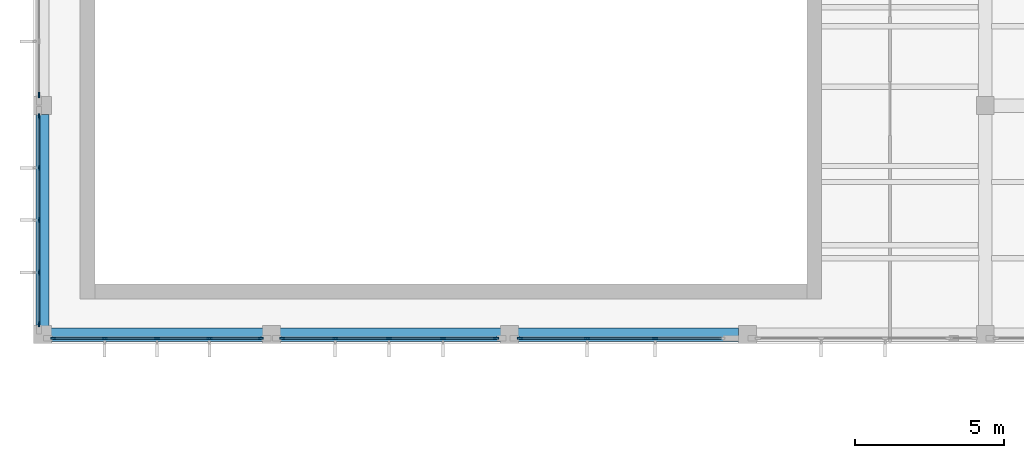
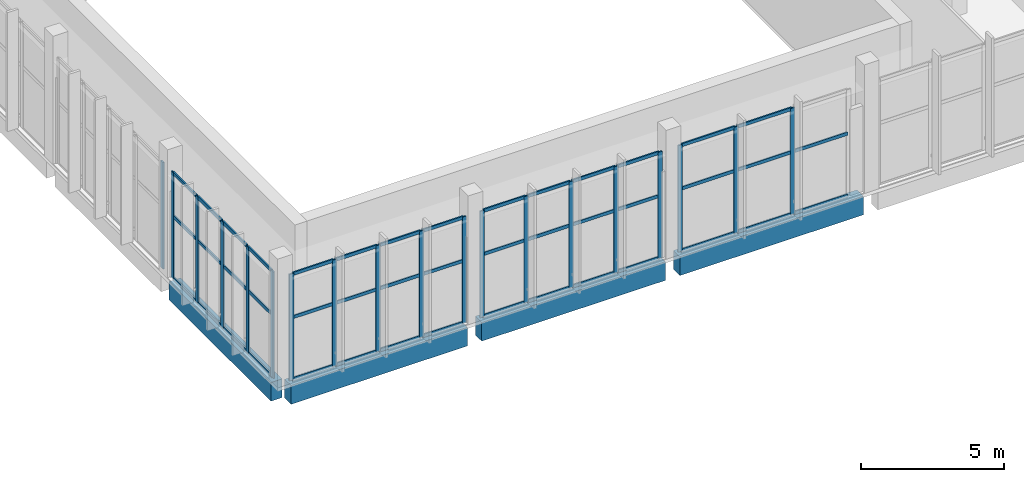
# One storey, part 4 of 87: 63 members, 4 beams, 5 elements without a shape of their own.
"""IFC4 building model written with IfcOpenShell, lengths in metres."""

from ifc_helpers import new_model, si_unit, direction, frame, origin, origin_2d, place, context, subcontext, project, spatial, rectangle, extrude, material, layer, layer_set, material_profile, profile_set, type_object, element, aggregate, save


model = new_model("IFC4")

# Units and contexts
model_context = context("Model", 3, precision=1e-05, world=origin(), true_north=direction((0.0, 1.0)))
body_context = subcontext(model_context, "Body", "Model", "MODEL_VIEW")
ifc_project = project(units=[si_unit("LENGTHUNIT", "METRE"), si_unit("AREAUNIT", "SQUARE_METRE"), si_unit("VOLUMEUNIT", "CUBIC_METRE"), si_unit("PLANEANGLEUNIT", "RADIAN"), si_unit("MASSUNIT", "GRAM", prefix="KILO")], contexts=[model_context])

# Site, building, storey
site_placement = place(None, origin())
site = spatial("IfcSite", under=ifc_project, at=site_placement, CompositionType="ELEMENT")
building_placement = place(site_placement, origin())
building = spatial("IfcBuilding", under=site, at=building_placement, Name="Lunette Opera House", CompositionType="ELEMENT")
storey_placement = place(building_placement, frame((0.0, 0.0, 11.5)))
storey = spatial("IfcBuildingStorey", under=building, at=storey_placement, Name="L02", CompositionType="ELEMENT", Elevation=11.5)

# Curtain wall, member
ifc_material_1 = material(Name="Aluminium", Category="aluminium")
ifc_layer = layer(ifc_material_1, 0.179931640625)
ifc_layer_set = layer_set([ifc_layer], Name="Aluminium")
curtain_wall_type = type_object("IfcCurtainWallType", Name="SUN FACE CURTAIN WALL", PredefinedType="NOTDEFINED", material=ifc_layer_set)
curtain_wall_1_placement = place(storey_placement, origin())
curtain_wall_1 = element("IfcCurtainWall", 1, at=curtain_wall_1_placement, inside=storey, type_object=curtain_wall_type, Name="Sun Face Curtain Wall F17 L02", PredefinedType="NOTDEFINED")
ifc_material_2 = material(Name="Aluminium", Category="aluminium")
ifc_material_profile_1 = material_profile(ifc_material_2, rectangle(XDim=0.06005859375, YDim=0.179931640625, at=origin_2d()), Name="MULLION 60 X 180")
ifc_profile_set_1 = profile_set([ifc_material_profile_1], Name="Aluminium")
member_type_1 = type_object("IfcMemberType", Name="MULLION 60 X 180", PredefinedType="MULLION", material=ifc_profile_set_1)
member_1_placement = place(storey_placement, frame((8.181884765625, 72.360107421875, 0.0), z_axis=(0.0, 0.0, 1.0), x_axis=(1.0, 0.0, 0.0)))
member_1 = element("IfcMember", 2, at=member_1_placement, type_object=member_type_1, Name="RW-X2033 mullion 5", PredefinedType="MULLION", context=body_context, shape_type="SweptSolid", body=[
    extrude(rectangle(XDim=0.06005859375, YDim=0.179931640625, at=origin_2d()), origin(), (0.0, 0.0, 1.0), 4.550048828125),
])
aggregate(curtain_wall_1, [member_1])

# Curtain wall, members
curtain_wall_2_placement = place(storey_placement, origin())
curtain_wall_2 = element("IfcCurtainWall", 3, at=curtain_wall_2_placement, inside=storey, type_object=curtain_wall_type, Name="Sun Face Curtain Wall F18 L02", PredefinedType="NOTDEFINED")
member_2_placement = place(storey_placement, frame((8.181884765625, 71.639892578125, 0.0), z_axis=(0.0, 0.0, 1.0), x_axis=(1.0, 0.0, 0.0)))
member_2 = element("IfcMember", 4, at=member_2_placement, type_object=member_type_1, Name="RW-X2034 mullion 1", PredefinedType="MULLION", context=body_context, shape_type="SweptSolid", body=[
    extrude(rectangle(XDim=0.06005859375, YDim=0.179931640625, at=origin_2d()), origin(), (0.0, 0.0, 1.0), 4.550048828125),
])
member_3_placement = place(storey_placement, frame((8.181884765625, 69.909912109375, 0.0), z_axis=(0.0, 0.0, 1.0), x_axis=(1.0, 0.0, 0.0)))
member_3 = element("IfcMember", 5, at=member_3_placement, type_object=member_type_1, Name="RW-X2034 mullion 2", PredefinedType="MULLION", context=body_context, shape_type="SweptSolid", body=[
    extrude(rectangle(XDim=0.06005859375, YDim=0.179931640625, at=origin_2d()), origin(), (0.0, 0.0, 1.0), 4.550048828125),
])
member_4_placement = place(storey_placement, frame((8.181884765625, 68.14990234375, 0.0), z_axis=(0.0, 0.0, 1.0), x_axis=(1.0, 0.0, 0.0)))
member_4 = element("IfcMember", 6, at=member_4_placement, type_object=member_type_1, Name="RW-X2034 mullion 3", PredefinedType="MULLION", context=body_context, shape_type="SweptSolid", body=[
    extrude(rectangle(XDim=0.06005859375, YDim=0.179931640625, at=origin_2d()), origin(), (0.0, 0.0, 1.0), 4.550048828125),
])
member_5_placement = place(storey_placement, frame((8.181884765625, 66.389892578125, 0.0), z_axis=(0.0, 0.0, 1.0), x_axis=(1.0, 0.0, 0.0)))
member_5 = element("IfcMember", 7, at=member_5_placement, type_object=member_type_1, Name="RW-X2034 mullion 4", PredefinedType="MULLION", context=body_context, shape_type="SweptSolid", body=[
    extrude(rectangle(XDim=0.06005859375, YDim=0.179931640625, at=origin_2d()), origin(), (0.0, 0.0, 1.0), 4.550048828125),
])
member_6_placement = place(storey_placement, frame((8.181884765625, 64.659912109375, 0.0), z_axis=(0.0, 0.0, 1.0), x_axis=(1.0, 0.0, 0.0)))
member_6 = element("IfcMember", 8, at=member_6_placement, type_object=member_type_1, Name="RW-X2034 mullion 5", PredefinedType="MULLION", context=body_context, shape_type="SweptSolid", body=[
    extrude(rectangle(XDim=0.06005859375, YDim=0.179931640625, at=origin_2d()), origin(), (0.0, 0.0, 1.0), 4.550048828125),
])

curtain_wall_3_placement = place(storey_placement, origin())
curtain_wall_3 = element("IfcCurtainWall", 9, at=curtain_wall_3_placement, inside=storey, type_object=curtain_wall_type, Name="Sun Face Curtain Wall F19 L02", PredefinedType="NOTDEFINED")
member_7_placement = place(storey_placement, frame((8.659912109375, 64.18310546875, 0.0), z_axis=(0.0, 0.0, 1.0), x_axis=(0.0, 1.0, 0.0)))
member_7 = element("IfcMember", 10, at=member_7_placement, type_object=member_type_1, Name="RW-X2035 mullion 1", PredefinedType="MULLION", context=body_context, shape_type="SweptSolid", body=[
    extrude(rectangle(XDim=0.06005859375, YDim=0.179931640625, at=origin_2d()), origin(), (0.0, 0.0, 1.0), 4.550048828125),
])
member_8_placement = place(storey_placement, frame((10.389892578125, 64.18310546875, 0.0), z_axis=(0.0, 0.0, 1.0), x_axis=(0.0, 1.0, 0.0)))
member_8 = element("IfcMember", 11, at=member_8_placement, type_object=member_type_1, Name="RW-X2035 mullion 2", PredefinedType="MULLION", context=body_context, shape_type="SweptSolid", body=[
    extrude(rectangle(XDim=0.06005859375, YDim=0.179931640625, at=origin_2d()), origin(), (0.0, 0.0, 1.0), 4.550048828125),
])
member_9_placement = place(storey_placement, frame((12.14990234375, 64.18310546875, 0.0), z_axis=(0.0, 0.0, 1.0), x_axis=(0.0, 1.0, 0.0)))
member_9 = element("IfcMember", 12, at=member_9_placement, type_object=member_type_1, Name="RW-X2035 mullion 3", PredefinedType="MULLION", context=body_context, shape_type="SweptSolid", body=[
    extrude(rectangle(XDim=0.06005859375, YDim=0.179931640625, at=origin_2d()), origin(), (0.0, 0.0, 1.0), 4.550048828125),
])
member_10_placement = place(storey_placement, frame((13.909912109375, 64.18310546875, 0.0), z_axis=(0.0, 0.0, 1.0), x_axis=(0.0, 1.0, 0.0)))
member_10 = element("IfcMember", 13, at=member_10_placement, type_object=member_type_1, Name="RW-X2035 mullion 4", PredefinedType="MULLION", context=body_context, shape_type="SweptSolid", body=[
    extrude(rectangle(XDim=0.06005859375, YDim=0.179931640625, at=origin_2d()), origin(), (0.0, 0.0, 1.0), 4.550048828125),
])
member_11_placement = place(storey_placement, frame((15.639892578125, 64.18310546875, 0.0), z_axis=(0.0, 0.0, 1.0), x_axis=(0.0, 1.0, 0.0)))
member_11 = element("IfcMember", 14, at=member_11_placement, type_object=member_type_1, Name="RW-X2035 mullion 5", PredefinedType="MULLION", context=body_context, shape_type="SweptSolid", body=[
    extrude(rectangle(XDim=0.06005859375, YDim=0.179931640625, at=origin_2d()), origin(), (0.0, 0.0, 1.0), 4.550048828125),
])

curtain_wall_4_placement = place(storey_placement, origin())
curtain_wall_4 = element("IfcCurtainWall", 15, at=curtain_wall_4_placement, inside=storey, type_object=curtain_wall_type, Name="Sun Face Curtain Wall F20 L02", PredefinedType="NOTDEFINED")
member_12_placement = place(storey_placement, frame((16.360107421875, 64.18310546875, 0.0), z_axis=(0.0, 0.0, 1.0), x_axis=(0.0, 1.0, 0.0)))
member_12 = element("IfcMember", 16, at=member_12_placement, type_object=member_type_1, Name="RW-X2036 mullion 1", PredefinedType="MULLION", context=body_context, shape_type="SweptSolid", body=[
    extrude(rectangle(XDim=0.06005859375, YDim=0.179931640625, at=origin_2d()), origin(), (0.0, 0.0, 1.0), 4.550048828125),
])
member_13_placement = place(storey_placement, frame((18.141845703125, 64.18310546875, 0.0), z_axis=(0.0, 0.0, 1.0), x_axis=(0.0, 1.0, 0.0)))
member_13 = element("IfcMember", 17, at=member_13_placement, type_object=member_type_1, Name="RW-X2036 mullion 2", PredefinedType="MULLION", context=body_context, shape_type="SweptSolid", body=[
    extrude(rectangle(XDim=0.06005859375, YDim=0.179931640625, at=origin_2d()), origin(), (0.0, 0.0, 1.0), 4.550048828125),
])
member_14_placement = place(storey_placement, frame((19.95361328125, 64.18310546875, 0.0), z_axis=(0.0, 0.0, 1.0), x_axis=(0.0, 1.0, 0.0)))
member_14 = element("IfcMember", 18, at=member_14_placement, type_object=member_type_1, Name="RW-X2036 mullion 3", PredefinedType="MULLION", context=body_context, shape_type="SweptSolid", body=[
    extrude(rectangle(XDim=0.06005859375, YDim=0.179931640625, at=origin_2d()), origin(), (0.0, 0.0, 1.0), 4.550048828125),
])
member_15_placement = place(storey_placement, frame((21.76513671875, 64.18310546875, 0.0), z_axis=(0.0, 0.0, 1.0), x_axis=(0.0, 1.0, 0.0)))
member_15 = element("IfcMember", 19, at=member_15_placement, type_object=member_type_1, Name="RW-X2036 mullion 4", PredefinedType="MULLION", context=body_context, shape_type="SweptSolid", body=[
    extrude(rectangle(XDim=0.06005859375, YDim=0.179931640625, at=origin_2d()), origin(), (0.0, 0.0, 1.0), 4.550048828125),
])
member_16_placement = place(storey_placement, frame((23.547119140625, 64.18310546875, 0.0), z_axis=(0.0, 0.0, 1.0), x_axis=(0.0, 1.0, 0.0)))
member_16 = element("IfcMember", 20, at=member_16_placement, type_object=member_type_1, Name="RW-X2036 mullion 5", PredefinedType="MULLION", context=body_context, shape_type="SweptSolid", body=[
    extrude(rectangle(XDim=0.06005859375, YDim=0.179931640625, at=origin_2d()), origin(), (0.0, 0.0, 1.0), 4.550048828125),
])

curtain_wall_5_placement = place(storey_placement, origin())
curtain_wall_5 = element("IfcCurtainWall", 21, at=curtain_wall_5_placement, inside=storey, type_object=curtain_wall_type, Name="Sun Face Curtain Wall F21 L02", PredefinedType="NOTDEFINED")
member_17_placement = place(storey_placement, frame((24.360107421875, 64.18310546875, 0.0), z_axis=(0.0, 0.0, 1.0), x_axis=(0.0, 1.0, 0.0)))
member_17 = element("IfcMember", 22, at=member_17_placement, type_object=member_type_1, Name="RW-X2037 mullion 1", PredefinedType="MULLION", context=body_context, shape_type="SweptSolid", body=[
    extrude(rectangle(XDim=0.06005859375, YDim=0.179931640625, at=origin_2d()), origin(), (0.0, 0.0, 1.0), 4.550048828125),
])
member_18_placement = place(storey_placement, frame((26.6142578125, 64.18310546875, 0.0), z_axis=(0.0, 0.0, 1.0), x_axis=(0.0, 1.0, 0.0)))
member_18 = element("IfcMember", 23, at=member_18_placement, type_object=member_type_1, Name="RW-X2037 mullion 2", PredefinedType="MULLION", context=body_context, shape_type="SweptSolid", body=[
    extrude(rectangle(XDim=0.06005859375, YDim=0.179931640625, at=origin_2d()), origin(), (0.0, 0.0, 1.0), 4.550048828125),
])
member_19_placement = place(storey_placement, frame((28.898681640625, 64.18310546875, 0.0), z_axis=(0.0, 0.0, 1.0), x_axis=(0.0, 1.0, 0.0)))
member_19 = element("IfcMember", 24, at=member_19_placement, type_object=member_type_1, Name="RW-X2037 mullion 3", PredefinedType="MULLION", context=body_context, shape_type="SweptSolid", body=[
    extrude(rectangle(XDim=0.06005859375, YDim=0.179931640625, at=origin_2d()), origin(), (0.0, 0.0, 1.0), 4.550048828125),
])

# Beams
ifc_material_3 = material(Name="Concrete C35/45", Category="concrete")
ifc_material_profile_2 = material_profile(ifc_material_3, rectangle(XDim=0.449951171875, YDim=0.800048828125, at=origin_2d()), Name="RC BEAM 450X800")
ifc_profile_set_2 = profile_set([ifc_material_profile_2], Name="Concrete C35/45")
beam_type = type_object("IfcBeamType", Name="RC BEAM 450X800", PredefinedType="BEAM", material=ifc_profile_set_2)
for number, where, z_axis, x_axis, name in (
    (25, (8.300048828125, 64.590087890625, -0.550048828125), (0.0, 1.0, 0.0), (-1.0, 0.0, 0.0), "beam-RW-L02-L02-GY00"),
    (26, (8.590087890625, 64.300048828125, -0.550048828125), (1.0, 0.0, 0.0), (0.0, 1.0, 0.0), "beam-RW-L02-L02-GX00"),
):
    element("IfcBeam", number, at=place(storey_placement, frame(where, z_axis=z_axis, x_axis=x_axis)), inside=storey, type_object=beam_type, Name=name, PredefinedType="BEAM", context=body_context, shape_type="SweptSolid", body=[
        extrude(rectangle(XDim=0.449951171875, YDim=0.800048828125, at=origin_2d()), origin(), (0.0, 0.0, 1.0), 7.119873046875),
    ])
for number, where, z_axis, x_axis, name in (
    (27, (16.2900390625, 64.300048828125, -0.550048828125), (1.0, 0.0, 0.0), (0.0, 1.0, 0.0), "beam-RW-L02-L02-GX10"),
    (28, (24.2900390625, 64.300048828125, -0.550048828125), (1.0, 0.0, 0.0), (0.0, 1.0, 0.0), "beam-RW-L02-L02-GX20"),
):
    element("IfcBeam", number, at=place(storey_placement, frame(where, z_axis=z_axis, x_axis=x_axis)), inside=storey, type_object=beam_type, Name=name, PredefinedType="BEAM", context=body_context, shape_type="SweptSolid", body=[
        extrude(rectangle(XDim=0.449951171875, YDim=0.800048828125, at=origin_2d()), origin(), (0.0, 0.0, 1.0), 7.419921875),
    ])

# Member
ifc_material_4 = material(Name="Aluminium", Category="aluminium")
ifc_material_profile_3 = material_profile(ifc_material_4, rectangle(XDim=0.06005859375, YDim=0.139892578125, at=origin_2d()), Name="TRANSOM 60 X 140")
ifc_profile_set_3 = profile_set([ifc_material_profile_3], Name="Aluminium")
member_type_2 = type_object("IfcMemberType", Name="TRANSOM 60 X 140", PredefinedType="USERDEFINED", material=ifc_profile_set_3)
member_20_placement = place(storey_placement, frame((8.181884765625, 71.610107421875, 0.030029296875), z_axis=(0.0, -1.0, 0.0), x_axis=(1.0, 0.0, 0.0)))
member_20 = element("IfcMember", 29, at=member_20_placement, type_object=member_type_2, Name="RW-X2034 transom 1.1", ObjectType="TRANSOM", PredefinedType="USERDEFINED", context=body_context, shape_type="SweptSolid", body=[
    extrude(rectangle(XDim=0.06005859375, YDim=0.139892578125, at=origin_2d()), origin(), (0.0, 0.0, 1.0), 1.670166015625),
])

member_21_placement = place(storey_placement, frame((8.181884765625, 71.610107421875, 2.675048828125), z_axis=(0.0, -1.0, 0.0), x_axis=(1.0, 0.0, 0.0)))
member_21 = element("IfcMember", 30, at=member_21_placement, type_object=member_type_2, Name="RW-X2034 transom 1.2", ObjectType="TRANSOM", PredefinedType="USERDEFINED", context=body_context, shape_type="SweptSolid", body=[
    extrude(rectangle(XDim=0.06005859375, YDim=0.139892578125, at=origin_2d()), origin(), (0.0, 0.0, 1.0), 1.670166015625),
])

member_22_placement = place(storey_placement, frame((8.181884765625, 71.610107421875, 4.52001953125), z_axis=(0.0, -1.0, 0.0), x_axis=(1.0, 0.0, 0.0)))
member_22 = element("IfcMember", 31, at=member_22_placement, type_object=member_type_2, Name="RW-X2034 transom 1.3", ObjectType="TRANSOM", PredefinedType="USERDEFINED", context=body_context, shape_type="SweptSolid", body=[
    extrude(rectangle(XDim=0.06005859375, YDim=0.139892578125, at=origin_2d()), origin(), (0.0, 0.0, 1.0), 1.670166015625),
])

member_23_placement = place(storey_placement, frame((8.181884765625, 69.8798828125, 0.030029296875), z_axis=(0.0, -1.0, 0.0), x_axis=(1.0, 0.0, 0.0)))
member_23 = element("IfcMember", 32, at=member_23_placement, type_object=member_type_2, Name="RW-X2034 transom 2.1", ObjectType="TRANSOM", PredefinedType="USERDEFINED", context=body_context, shape_type="SweptSolid", body=[
    extrude(rectangle(XDim=0.06005859375, YDim=0.139892578125, at=origin_2d()), origin(), (0.0, 0.0, 1.0), 1.699951171875),
])

member_24_placement = place(storey_placement, frame((8.181884765625, 69.8798828125, 2.675048828125), z_axis=(0.0, -1.0, 0.0), x_axis=(1.0, 0.0, 0.0)))
member_24 = element("IfcMember", 33, at=member_24_placement, type_object=member_type_2, Name="RW-X2034 transom 2.2", ObjectType="TRANSOM", PredefinedType="USERDEFINED", context=body_context, shape_type="SweptSolid", body=[
    extrude(rectangle(XDim=0.06005859375, YDim=0.139892578125, at=origin_2d()), origin(), (0.0, 0.0, 1.0), 1.699951171875),
])

member_25_placement = place(storey_placement, frame((8.181884765625, 69.8798828125, 4.52001953125), z_axis=(0.0, -1.0, 0.0), x_axis=(1.0, 0.0, 0.0)))
member_25 = element("IfcMember", 34, at=member_25_placement, type_object=member_type_2, Name="RW-X2034 transom 2.3", ObjectType="TRANSOM", PredefinedType="USERDEFINED", context=body_context, shape_type="SweptSolid", body=[
    extrude(rectangle(XDim=0.06005859375, YDim=0.139892578125, at=origin_2d()), origin(), (0.0, 0.0, 1.0), 1.699951171875),
])

member_26_placement = place(storey_placement, frame((8.181884765625, 68.1201171875, 0.030029296875), z_axis=(0.0, -1.0, 0.0), x_axis=(1.0, 0.0, 0.0)))
member_26 = element("IfcMember", 35, at=member_26_placement, type_object=member_type_2, Name="RW-X2034 transom 3.1", ObjectType="TRANSOM", PredefinedType="USERDEFINED", context=body_context, shape_type="SweptSolid", body=[
    extrude(rectangle(XDim=0.06005859375, YDim=0.139892578125, at=origin_2d()), origin(), (0.0, 0.0, 1.0), 1.7001953125),
])

member_27_placement = place(storey_placement, frame((8.181884765625, 68.1201171875, 2.675048828125), z_axis=(0.0, -1.0, 0.0), x_axis=(1.0, 0.0, 0.0)))
member_27 = element("IfcMember", 36, at=member_27_placement, type_object=member_type_2, Name="RW-X2034 transom 3.2", ObjectType="TRANSOM", PredefinedType="USERDEFINED", context=body_context, shape_type="SweptSolid", body=[
    extrude(rectangle(XDim=0.06005859375, YDim=0.139892578125, at=origin_2d()), origin(), (0.0, 0.0, 1.0), 1.7001953125),
])

member_28_placement = place(storey_placement, frame((8.181884765625, 68.1201171875, 4.52001953125), z_axis=(0.0, -1.0, 0.0), x_axis=(1.0, 0.0, 0.0)))
member_28 = element("IfcMember", 37, at=member_28_placement, type_object=member_type_2, Name="RW-X2034 transom 3.3", ObjectType="TRANSOM", PredefinedType="USERDEFINED", context=body_context, shape_type="SweptSolid", body=[
    extrude(rectangle(XDim=0.06005859375, YDim=0.139892578125, at=origin_2d()), origin(), (0.0, 0.0, 1.0), 1.7001953125),
])

member_29_placement = place(storey_placement, frame((8.181884765625, 66.360107421875, 0.030029296875), z_axis=(0.0, -1.0, 0.0), x_axis=(1.0, 0.0, 0.0)))
member_29 = element("IfcMember", 38, at=member_29_placement, type_object=member_type_2, Name="RW-X2034 transom 4.1", ObjectType="TRANSOM", PredefinedType="USERDEFINED", context=body_context, shape_type="SweptSolid", body=[
    extrude(rectangle(XDim=0.06005859375, YDim=0.139892578125, at=origin_2d()), origin(), (0.0, 0.0, 1.0), 1.670166015625),
])

member_30_placement = place(storey_placement, frame((8.181884765625, 66.360107421875, 2.675048828125), z_axis=(0.0, -1.0, 0.0), x_axis=(1.0, 0.0, 0.0)))
member_30 = element("IfcMember", 39, at=member_30_placement, type_object=member_type_2, Name="RW-X2034 transom 4.2", ObjectType="TRANSOM", PredefinedType="USERDEFINED", context=body_context, shape_type="SweptSolid", body=[
    extrude(rectangle(XDim=0.06005859375, YDim=0.139892578125, at=origin_2d()), origin(), (0.0, 0.0, 1.0), 1.670166015625),
])

member_31_placement = place(storey_placement, frame((8.181884765625, 66.360107421875, 4.52001953125), z_axis=(0.0, -1.0, 0.0), x_axis=(1.0, 0.0, 0.0)))
member_31 = element("IfcMember", 40, at=member_31_placement, type_object=member_type_2, Name="RW-X2034 transom 4.3", ObjectType="TRANSOM", PredefinedType="USERDEFINED", context=body_context, shape_type="SweptSolid", body=[
    extrude(rectangle(XDim=0.06005859375, YDim=0.139892578125, at=origin_2d()), origin(), (0.0, 0.0, 1.0), 1.670166015625),
])

aggregate(curtain_wall_2, [member_2, member_3, member_4, member_5, member_6, member_20, member_21, member_22, member_23, member_24, member_25, member_26, member_27, member_28, member_29, member_30, member_31])

member_32_placement = place(storey_placement, frame((8.68994140625, 64.18310546875, 0.030029296875), z_axis=(1.0, 0.0, 0.0), x_axis=(0.0, 1.0, 0.0)))
member_32 = element("IfcMember", 41, at=member_32_placement, type_object=member_type_2, Name="RW-X2035 transom 1.1", ObjectType="TRANSOM", PredefinedType="USERDEFINED", context=body_context, shape_type="SweptSolid", body=[
    extrude(rectangle(XDim=0.06005859375, YDim=0.139892578125, at=origin_2d()), origin(), (0.0, 0.0, 1.0), 1.670166015625),
])

member_33_placement = place(storey_placement, frame((8.68994140625, 64.18310546875, 2.675048828125), z_axis=(1.0, 0.0, 0.0), x_axis=(0.0, 1.0, 0.0)))
member_33 = element("IfcMember", 42, at=member_33_placement, type_object=member_type_2, Name="RW-X2035 transom 1.2", ObjectType="TRANSOM", PredefinedType="USERDEFINED", context=body_context, shape_type="SweptSolid", body=[
    extrude(rectangle(XDim=0.06005859375, YDim=0.139892578125, at=origin_2d()), origin(), (0.0, 0.0, 1.0), 1.670166015625),
])

member_34_placement = place(storey_placement, frame((8.68994140625, 64.18310546875, 4.52001953125), z_axis=(1.0, 0.0, 0.0), x_axis=(0.0, 1.0, 0.0)))
member_34 = element("IfcMember", 43, at=member_34_placement, type_object=member_type_2, Name="RW-X2035 transom 1.3", ObjectType="TRANSOM", PredefinedType="USERDEFINED", context=body_context, shape_type="SweptSolid", body=[
    extrude(rectangle(XDim=0.06005859375, YDim=0.139892578125, at=origin_2d()), origin(), (0.0, 0.0, 1.0), 1.670166015625),
])

member_35_placement = place(storey_placement, frame((10.419921875, 64.18310546875, 0.030029296875), z_axis=(1.0, 0.0, 0.0), x_axis=(0.0, 1.0, 0.0)))
member_35 = element("IfcMember", 44, at=member_35_placement, type_object=member_type_2, Name="RW-X2035 transom 2.1", ObjectType="TRANSOM", PredefinedType="USERDEFINED", context=body_context, shape_type="SweptSolid", body=[
    extrude(rectangle(XDim=0.06005859375, YDim=0.139892578125, at=origin_2d()), origin(), (0.0, 0.0, 1.0), 1.7001953125),
])

member_36_placement = place(storey_placement, frame((10.419921875, 64.18310546875, 2.675048828125), z_axis=(1.0, 0.0, 0.0), x_axis=(0.0, 1.0, 0.0)))
member_36 = element("IfcMember", 45, at=member_36_placement, type_object=member_type_2, Name="RW-X2035 transom 2.2", ObjectType="TRANSOM", PredefinedType="USERDEFINED", context=body_context, shape_type="SweptSolid", body=[
    extrude(rectangle(XDim=0.06005859375, YDim=0.139892578125, at=origin_2d()), origin(), (0.0, 0.0, 1.0), 1.7001953125),
])

member_37_placement = place(storey_placement, frame((10.419921875, 64.18310546875, 4.52001953125), z_axis=(1.0, 0.0, 0.0), x_axis=(0.0, 1.0, 0.0)))
member_37 = element("IfcMember", 46, at=member_37_placement, type_object=member_type_2, Name="RW-X2035 transom 2.3", ObjectType="TRANSOM", PredefinedType="USERDEFINED", context=body_context, shape_type="SweptSolid", body=[
    extrude(rectangle(XDim=0.06005859375, YDim=0.139892578125, at=origin_2d()), origin(), (0.0, 0.0, 1.0), 1.7001953125),
])

member_38_placement = place(storey_placement, frame((12.179931640625, 64.18310546875, 0.030029296875), z_axis=(1.0, 0.0, 0.0), x_axis=(0.0, 1.0, 0.0)))
member_38 = element("IfcMember", 47, at=member_38_placement, type_object=member_type_2, Name="RW-X2035 transom 3.1", ObjectType="TRANSOM", PredefinedType="USERDEFINED", context=body_context, shape_type="SweptSolid", body=[
    extrude(rectangle(XDim=0.06005859375, YDim=0.139892578125, at=origin_2d()), origin(), (0.0, 0.0, 1.0), 1.699951171875),
])

member_39_placement = place(storey_placement, frame((12.179931640625, 64.18310546875, 2.675048828125), z_axis=(1.0, 0.0, 0.0), x_axis=(0.0, 1.0, 0.0)))
member_39 = element("IfcMember", 48, at=member_39_placement, type_object=member_type_2, Name="RW-X2035 transom 3.2", ObjectType="TRANSOM", PredefinedType="USERDEFINED", context=body_context, shape_type="SweptSolid", body=[
    extrude(rectangle(XDim=0.06005859375, YDim=0.139892578125, at=origin_2d()), origin(), (0.0, 0.0, 1.0), 1.699951171875),
])

member_40_placement = place(storey_placement, frame((12.179931640625, 64.18310546875, 4.52001953125), z_axis=(1.0, 0.0, 0.0), x_axis=(0.0, 1.0, 0.0)))
member_40 = element("IfcMember", 49, at=member_40_placement, type_object=member_type_2, Name="RW-X2035 transom 3.3", ObjectType="TRANSOM", PredefinedType="USERDEFINED", context=body_context, shape_type="SweptSolid", body=[
    extrude(rectangle(XDim=0.06005859375, YDim=0.139892578125, at=origin_2d()), origin(), (0.0, 0.0, 1.0), 1.699951171875),
])

member_41_placement = place(storey_placement, frame((13.93994140625, 64.18310546875, 0.030029296875), z_axis=(1.0, 0.0, 0.0), x_axis=(0.0, 1.0, 0.0)))
member_41 = element("IfcMember", 50, at=member_41_placement, type_object=member_type_2, Name="RW-X2035 transom 4.1", ObjectType="TRANSOM", PredefinedType="USERDEFINED", context=body_context, shape_type="SweptSolid", body=[
    extrude(rectangle(XDim=0.06005859375, YDim=0.139892578125, at=origin_2d()), origin(), (0.0, 0.0, 1.0), 1.670166015625),
])

member_42_placement = place(storey_placement, frame((13.93994140625, 64.18310546875, 2.675048828125), z_axis=(1.0, 0.0, 0.0), x_axis=(0.0, 1.0, 0.0)))
member_42 = element("IfcMember", 51, at=member_42_placement, type_object=member_type_2, Name="RW-X2035 transom 4.2", ObjectType="TRANSOM", PredefinedType="USERDEFINED", context=body_context, shape_type="SweptSolid", body=[
    extrude(rectangle(XDim=0.06005859375, YDim=0.139892578125, at=origin_2d()), origin(), (0.0, 0.0, 1.0), 1.670166015625),
])

member_43_placement = place(storey_placement, frame((13.93994140625, 64.18310546875, 4.52001953125), z_axis=(1.0, 0.0, 0.0), x_axis=(0.0, 1.0, 0.0)))
member_43 = element("IfcMember", 52, at=member_43_placement, type_object=member_type_2, Name="RW-X2035 transom 4.3", ObjectType="TRANSOM", PredefinedType="USERDEFINED", context=body_context, shape_type="SweptSolid", body=[
    extrude(rectangle(XDim=0.06005859375, YDim=0.139892578125, at=origin_2d()), origin(), (0.0, 0.0, 1.0), 1.670166015625),
])

aggregate(curtain_wall_3, [member_7, member_8, member_9, member_10, member_11, member_32, member_33, member_34, member_35, member_36, member_37, member_38, member_39, member_40, member_41, member_42, member_43])

member_44_placement = place(storey_placement, frame((16.389892578125, 64.18310546875, 0.030029296875), z_axis=(1.0, 0.0, 0.0), x_axis=(0.0, 1.0, 0.0)))
member_44 = element("IfcMember", 53, at=member_44_placement, type_object=member_type_2, Name="RW-X2036 transom 1.1", ObjectType="TRANSOM", PredefinedType="USERDEFINED", context=body_context, shape_type="SweptSolid", body=[
    extrude(rectangle(XDim=0.06005859375, YDim=0.139892578125, at=origin_2d()), origin(), (0.0, 0.0, 1.0), 1.721923828125),
])

member_45_placement = place(storey_placement, frame((16.389892578125, 64.18310546875, 2.675048828125), z_axis=(1.0, 0.0, 0.0), x_axis=(0.0, 1.0, 0.0)))
member_45 = element("IfcMember", 54, at=member_45_placement, type_object=member_type_2, Name="RW-X2036 transom 1.2", ObjectType="TRANSOM", PredefinedType="USERDEFINED", context=body_context, shape_type="SweptSolid", body=[
    extrude(rectangle(XDim=0.06005859375, YDim=0.139892578125, at=origin_2d()), origin(), (0.0, 0.0, 1.0), 1.721923828125),
])

member_46_placement = place(storey_placement, frame((16.389892578125, 64.18310546875, 4.52001953125), z_axis=(1.0, 0.0, 0.0), x_axis=(0.0, 1.0, 0.0)))
member_46 = element("IfcMember", 55, at=member_46_placement, type_object=member_type_2, Name="RW-X2036 transom 1.3", ObjectType="TRANSOM", PredefinedType="USERDEFINED", context=body_context, shape_type="SweptSolid", body=[
    extrude(rectangle(XDim=0.06005859375, YDim=0.139892578125, at=origin_2d()), origin(), (0.0, 0.0, 1.0), 1.721923828125),
])

member_47_placement = place(storey_placement, frame((18.171630859375, 64.18310546875, 0.030029296875), z_axis=(1.0, 0.0, 0.0), x_axis=(0.0, 1.0, 0.0)))
member_47 = element("IfcMember", 56, at=member_47_placement, type_object=member_type_2, Name="RW-X2036 transom 2.1", ObjectType="TRANSOM", PredefinedType="USERDEFINED", context=body_context, shape_type="SweptSolid", body=[
    extrude(rectangle(XDim=0.06005859375, YDim=0.139892578125, at=origin_2d()), origin(), (0.0, 0.0, 1.0), 1.751953125),
])

member_48_placement = place(storey_placement, frame((18.171630859375, 64.18310546875, 2.675048828125), z_axis=(1.0, 0.0, 0.0), x_axis=(0.0, 1.0, 0.0)))
member_48 = element("IfcMember", 57, at=member_48_placement, type_object=member_type_2, Name="RW-X2036 transom 2.2", ObjectType="TRANSOM", PredefinedType="USERDEFINED", context=body_context, shape_type="SweptSolid", body=[
    extrude(rectangle(XDim=0.06005859375, YDim=0.139892578125, at=origin_2d()), origin(), (0.0, 0.0, 1.0), 1.751953125),
])

member_49_placement = place(storey_placement, frame((18.171630859375, 64.18310546875, 4.52001953125), z_axis=(1.0, 0.0, 0.0), x_axis=(0.0, 1.0, 0.0)))
member_49 = element("IfcMember", 58, at=member_49_placement, type_object=member_type_2, Name="RW-X2036 transom 2.3", ObjectType="TRANSOM", PredefinedType="USERDEFINED", context=body_context, shape_type="SweptSolid", body=[
    extrude(rectangle(XDim=0.06005859375, YDim=0.139892578125, at=origin_2d()), origin(), (0.0, 0.0, 1.0), 1.751953125),
])

member_50_placement = place(storey_placement, frame((19.9833984375, 64.18310546875, 0.030029296875), z_axis=(1.0, 0.0, 0.0), x_axis=(0.0, 1.0, 0.0)))
member_50 = element("IfcMember", 59, at=member_50_placement, type_object=member_type_2, Name="RW-X2036 transom 3.1", ObjectType="TRANSOM", PredefinedType="USERDEFINED", context=body_context, shape_type="SweptSolid", body=[
    extrude(rectangle(XDim=0.06005859375, YDim=0.139892578125, at=origin_2d()), origin(), (0.0, 0.0, 1.0), 1.751953125),
])

member_51_placement = place(storey_placement, frame((19.9833984375, 64.18310546875, 2.675048828125), z_axis=(1.0, 0.0, 0.0), x_axis=(0.0, 1.0, 0.0)))
member_51 = element("IfcMember", 60, at=member_51_placement, type_object=member_type_2, Name="RW-X2036 transom 3.2", ObjectType="TRANSOM", PredefinedType="USERDEFINED", context=body_context, shape_type="SweptSolid", body=[
    extrude(rectangle(XDim=0.06005859375, YDim=0.139892578125, at=origin_2d()), origin(), (0.0, 0.0, 1.0), 1.751953125),
])

member_52_placement = place(storey_placement, frame((19.9833984375, 64.18310546875, 4.52001953125), z_axis=(1.0, 0.0, 0.0), x_axis=(0.0, 1.0, 0.0)))
member_52 = element("IfcMember", 61, at=member_52_placement, type_object=member_type_2, Name="RW-X2036 transom 3.3", ObjectType="TRANSOM", PredefinedType="USERDEFINED", context=body_context, shape_type="SweptSolid", body=[
    extrude(rectangle(XDim=0.06005859375, YDim=0.139892578125, at=origin_2d()), origin(), (0.0, 0.0, 1.0), 1.751953125),
])

member_53_placement = place(storey_placement, frame((21.795166015625, 64.18310546875, 0.030029296875), z_axis=(1.0, 0.0, 0.0), x_axis=(0.0, 1.0, 0.0)))
member_53 = element("IfcMember", 62, at=member_53_placement, type_object=member_type_2, Name="RW-X2036 transom 4.1", ObjectType="TRANSOM", PredefinedType="USERDEFINED", context=body_context, shape_type="SweptSolid", body=[
    extrude(rectangle(XDim=0.06005859375, YDim=0.139892578125, at=origin_2d()), origin(), (0.0, 0.0, 1.0), 1.721923828125),
])

member_54_placement = place(storey_placement, frame((21.795166015625, 64.18310546875, 2.675048828125), z_axis=(1.0, 0.0, 0.0), x_axis=(0.0, 1.0, 0.0)))
member_54 = element("IfcMember", 63, at=member_54_placement, type_object=member_type_2, Name="RW-X2036 transom 4.2", ObjectType="TRANSOM", PredefinedType="USERDEFINED", context=body_context, shape_type="SweptSolid", body=[
    extrude(rectangle(XDim=0.06005859375, YDim=0.139892578125, at=origin_2d()), origin(), (0.0, 0.0, 1.0), 1.721923828125),
])

member_55_placement = place(storey_placement, frame((21.795166015625, 64.18310546875, 4.52001953125), z_axis=(1.0, 0.0, 0.0), x_axis=(0.0, 1.0, 0.0)))
member_55 = element("IfcMember", 64, at=member_55_placement, type_object=member_type_2, Name="RW-X2036 transom 4.3", ObjectType="TRANSOM", PredefinedType="USERDEFINED", context=body_context, shape_type="SweptSolid", body=[
    extrude(rectangle(XDim=0.06005859375, YDim=0.139892578125, at=origin_2d()), origin(), (0.0, 0.0, 1.0), 1.721923828125),
])

aggregate(curtain_wall_4, [member_12, member_13, member_14, member_15, member_16, member_44, member_45, member_46, member_47, member_48, member_49, member_50, member_51, member_52, member_53, member_54, member_55])

member_56_placement = place(storey_placement, frame((24.389892578125, 64.18310546875, 0.030029296875), z_axis=(1.0, 0.0, 0.0), x_axis=(0.0, 1.0, 0.0)))
member_56 = element("IfcMember", 65, at=member_56_placement, type_object=member_type_2, Name="RW-X2037 transom 1.1", ObjectType="TRANSOM", PredefinedType="USERDEFINED", context=body_context, shape_type="SweptSolid", body=[
    extrude(rectangle(XDim=0.06005859375, YDim=0.139892578125, at=origin_2d()), origin(), (0.0, 0.0, 1.0), 2.1943359375),
])

member_57_placement = place(storey_placement, frame((24.389892578125, 64.18310546875, 2.675048828125), z_axis=(1.0, 0.0, 0.0), x_axis=(0.0, 1.0, 0.0)))
member_57 = element("IfcMember", 66, at=member_57_placement, type_object=member_type_2, Name="RW-X2037 transom 1.2", ObjectType="TRANSOM", PredefinedType="USERDEFINED", context=body_context, shape_type="SweptSolid", body=[
    extrude(rectangle(XDim=0.06005859375, YDim=0.139892578125, at=origin_2d()), origin(), (0.0, 0.0, 1.0), 2.1943359375),
])

member_58_placement = place(storey_placement, frame((24.389892578125, 64.18310546875, 4.52001953125), z_axis=(1.0, 0.0, 0.0), x_axis=(0.0, 1.0, 0.0)))
member_58 = element("IfcMember", 67, at=member_58_placement, type_object=member_type_2, Name="RW-X2037 transom 1.3", ObjectType="TRANSOM", PredefinedType="USERDEFINED", context=body_context, shape_type="SweptSolid", body=[
    extrude(rectangle(XDim=0.06005859375, YDim=0.139892578125, at=origin_2d()), origin(), (0.0, 0.0, 1.0), 2.1943359375),
])

member_59_placement = place(storey_placement, frame((26.644287109375, 64.18310546875, 0.030029296875), z_axis=(1.0, 0.0, 0.0), x_axis=(0.0, 1.0, 0.0)))
member_59 = element("IfcMember", 68, at=member_59_placement, type_object=member_type_2, Name="RW-X2037 transom 2.1", ObjectType="TRANSOM", PredefinedType="USERDEFINED", context=body_context, shape_type="SweptSolid", body=[
    extrude(rectangle(XDim=0.06005859375, YDim=0.139892578125, at=origin_2d()), origin(), (0.0, 0.0, 1.0), 2.224365234375),
])

member_60_placement = place(storey_placement, frame((26.644287109375, 64.18310546875, 2.675048828125), z_axis=(1.0, 0.0, 0.0), x_axis=(0.0, 1.0, 0.0)))
member_60 = element("IfcMember", 69, at=member_60_placement, type_object=member_type_2, Name="RW-X2037 transom 2.2", ObjectType="TRANSOM", PredefinedType="USERDEFINED", context=body_context, shape_type="SweptSolid", body=[
    extrude(rectangle(XDim=0.06005859375, YDim=0.139892578125, at=origin_2d()), origin(), (0.0, 0.0, 1.0), 2.224365234375),
])

member_61_placement = place(storey_placement, frame((26.644287109375, 64.18310546875, 4.52001953125), z_axis=(1.0, 0.0, 0.0), x_axis=(0.0, 1.0, 0.0)))
member_61 = element("IfcMember", 70, at=member_61_placement, type_object=member_type_2, Name="RW-X2037 transom 2.3", ObjectType="TRANSOM", PredefinedType="USERDEFINED", context=body_context, shape_type="SweptSolid", body=[
    extrude(rectangle(XDim=0.06005859375, YDim=0.139892578125, at=origin_2d()), origin(), (0.0, 0.0, 1.0), 2.224365234375),
])

member_62_placement = place(storey_placement, frame((28.9287109375, 64.18310546875, 0.030029296875), z_axis=(1.0, 0.0, 0.0), x_axis=(0.0, 1.0, 0.0)))
member_62 = element("IfcMember", 71, at=member_62_placement, type_object=member_type_2, Name="RW-X2037 transom 3.1", ObjectType="TRANSOM", PredefinedType="USERDEFINED", context=body_context, shape_type="SweptSolid", body=[
    extrude(rectangle(XDim=0.06005859375, YDim=0.139892578125, at=origin_2d()), origin(), (0.0, 0.0, 1.0), 2.1943359375),
])

member_63_placement = place(storey_placement, frame((28.9287109375, 64.18310546875, 2.675048828125), z_axis=(1.0, 0.0, 0.0), x_axis=(0.0, 1.0, 0.0)))
member_63 = element("IfcMember", 72, at=member_63_placement, type_object=member_type_2, Name="RW-X2037 transom 3.2", ObjectType="TRANSOM", PredefinedType="USERDEFINED", context=body_context, shape_type="SweptSolid", body=[
    extrude(rectangle(XDim=0.06005859375, YDim=0.139892578125, at=origin_2d()), origin(), (0.0, 0.0, 1.0), 2.1943359375),
])

aggregate(curtain_wall_5, [member_17, member_18, member_19, member_56, member_57, member_58, member_59, member_60, member_61, member_62, member_63])

save(model, "model.ifc")
